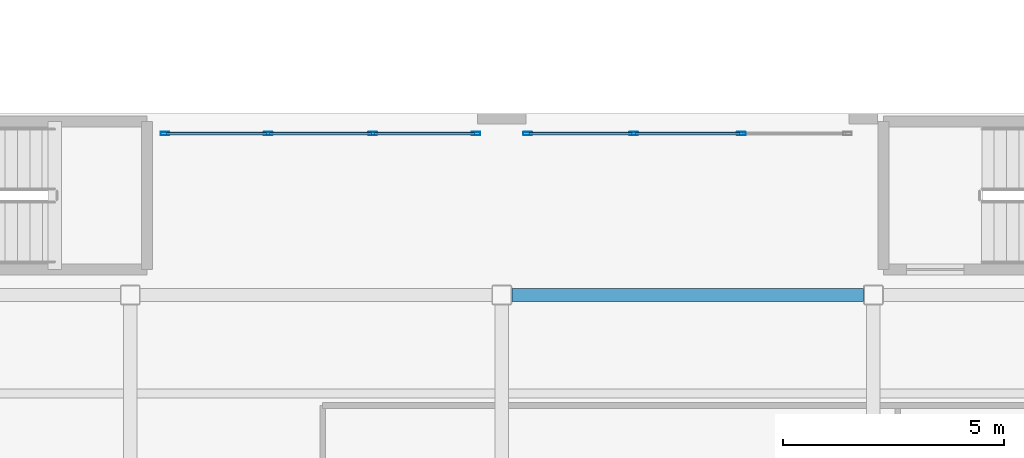
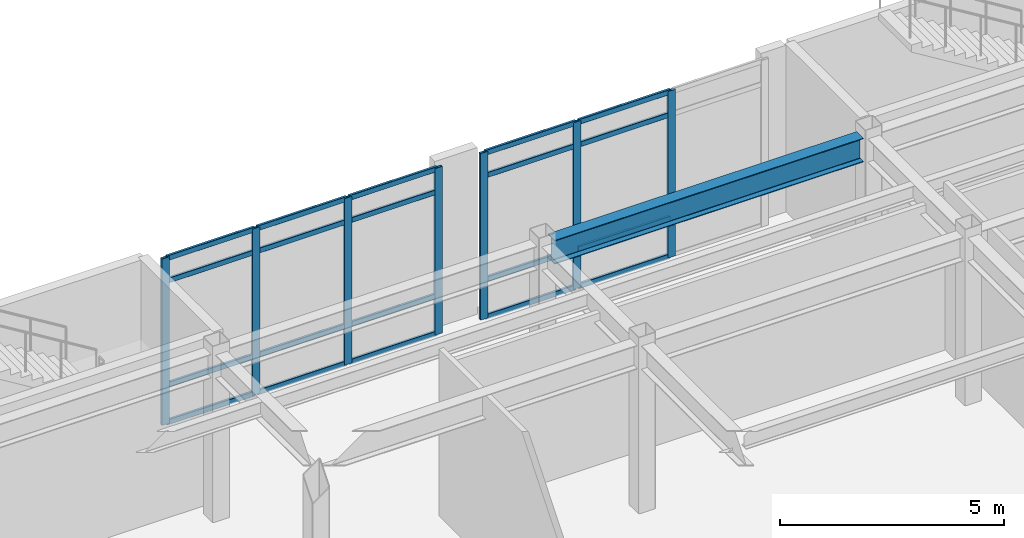
# One storey, part 86 of 172: 27 members, 1 beam, 2 elements without a shape of their own.
"""IFC4 building model written with IfcOpenShell, lengths in metres."""

from ifc_helpers import new_model, si_unit, direction, frame, origin, origin_2d, place, context, subcontext, project, spatial, hollow_rectangle, i_section, extrude, material, layer, layer_set, material_profile, profile_set, type_object, element, aggregate, save


model = new_model("IFC4")

# Units and contexts
model_context = context("Model", 3, precision=1e-05, world=origin(), true_north=direction((0.0, 1.0)))
body_context = subcontext(model_context, "Body", "Model", "MODEL_VIEW")
ifc_project = project(units=[si_unit("LENGTHUNIT", "METRE"), si_unit("AREAUNIT", "SQUARE_METRE"), si_unit("VOLUMEUNIT", "CUBIC_METRE"), si_unit("PLANEANGLEUNIT", "RADIAN"), si_unit("MASSUNIT", "GRAM", prefix="KILO")], contexts=[model_context])

# Site, building, storey
site_placement = place(None, origin())
site = spatial("IfcSite", under=ifc_project, at=site_placement, CompositionType="ELEMENT")
building_placement = place(site_placement, origin())
building = spatial("IfcBuilding", under=site, at=building_placement, Name="Kazehara Bluff Congress Hotel", CompositionType="ELEMENT")
storey_placement = place(building_placement, frame((0.0, 0.0, 5.39990234375)))
storey = spatial("IfcBuildingStorey", under=building, at=storey_placement, Name="L01", CompositionType="ELEMENT", Elevation=5.39990234375)

# Curtain wall, members
ifc_material_1 = material(Name="Anodised aluminium", Category="aluminium")
ifc_layer_1 = layer(ifc_material_1, 0.159912109375)
ifc_layer_set_1 = layer_set([ifc_layer_1], Name="Anodised aluminium")
curtain_wall_type_1 = type_object("IfcCurtainWallType", Name="TP-CW-47", PredefinedType="NOTDEFINED", material=ifc_layer_set_1)
curtain_wall_1_placement = place(storey_placement, origin())
curtain_wall_1 = element("IfcCurtainWall", 1, at=curtain_wall_1_placement, inside=storey, type_object=curtain_wall_type_1, Name="L01 curtain wall CW-47 CW-V3-L01-Y11355-6840", PredefinedType="NOTDEFINED")
ifc_material_2 = material(Name="Anodised aluminium", Category="aluminium")
ifc_material_profile_1 = material_profile(ifc_material_2, hollow_rectangle(XDim=0.070068359375, YDim=0.199951171875, WallThickness=0.0048828125, InnerFilletRadius=0.0048828125, OuterFilletRadius=0.010009765625, at=origin_2d()))
ifc_profile_set_1 = profile_set([ifc_material_profile_1], Name="Anodised aluminium")
member_type_1 = type_object("IfcMemberType", Name="TP-CWM-03", PredefinedType="MULLION", material=ifc_profile_set_1)
member_1_placement = place(storey_placement, frame((68.43505859375, 113.550048828125, 0.0), z_axis=(0.0, 0.0, 1.0), x_axis=(0.0, 1.0, 0.0)))
member_1 = element("IfcMember", 2, at=member_1_placement, type_object=member_type_1, Name="CW-47 mullion 1", PredefinedType="MULLION", context=body_context, shape_type="SweptSolid", body=[
    extrude(hollow_rectangle(XDim=0.070068359375, YDim=0.199951171875, WallThickness=0.0048828125, InnerFilletRadius=0.0048828125, OuterFilletRadius=0.010009765625, at=origin_2d()), origin(), (0.0, 0.0, 1.0), 4.53515625),
])
member_2_placement = place(storey_placement, frame((70.7666015625, 113.550048828125, 0.0), z_axis=(0.0, 0.0, 1.0), x_axis=(0.0, 1.0, 0.0)))
member_2 = element("IfcMember", 3, at=member_2_placement, type_object=member_type_1, Name="CW-47 mullion 2", PredefinedType="MULLION", context=body_context, shape_type="SweptSolid", body=[
    extrude(hollow_rectangle(XDim=0.070068359375, YDim=0.199951171875, WallThickness=0.0048828125, InnerFilletRadius=0.0048828125, OuterFilletRadius=0.010009765625, at=origin_2d()), origin(), (0.0, 0.0, 1.0), 4.53515625),
])
member_3_placement = place(storey_placement, frame((73.13330078125, 113.550048828125, 0.0), z_axis=(0.0, 0.0, 1.0), x_axis=(0.0, 1.0, 0.0)))
member_3 = element("IfcMember", 4, at=member_3_placement, type_object=member_type_1, Name="CW-47 mullion 3", PredefinedType="MULLION", context=body_context, shape_type="SweptSolid", body=[
    extrude(hollow_rectangle(XDim=0.070068359375, YDim=0.199951171875, WallThickness=0.0048828125, InnerFilletRadius=0.0048828125, OuterFilletRadius=0.010009765625, at=origin_2d()), origin(), (0.0, 0.0, 1.0), 4.53515625),
])
member_4_placement = place(storey_placement, frame((75.465087890625, 113.550048828125, 0.0), z_axis=(0.0, 0.0, 1.0), x_axis=(0.0, 1.0, 0.0)))
member_4 = element("IfcMember", 5, at=member_4_placement, type_object=member_type_1, Name="CW-47 mullion 4", PredefinedType="MULLION", context=body_context, shape_type="SweptSolid", body=[
    extrude(hollow_rectangle(XDim=0.070068359375, YDim=0.199951171875, WallThickness=0.0048828125, InnerFilletRadius=0.0048828125, OuterFilletRadius=0.010009765625, at=origin_2d()), origin(), (0.0, 0.0, 1.0), 4.53515625),
])

ifc_material_3 = material(Name="Anodised aluminium", Category="aluminium")
ifc_layer_2 = layer(ifc_material_3, 0.159912109375)
ifc_layer_set_2 = layer_set([ifc_layer_2], Name="Anodised aluminium")
curtain_wall_type_2 = type_object("IfcCurtainWallType", Name="TP-CW-48", PredefinedType="NOTDEFINED", material=ifc_layer_set_2)
curtain_wall_2_placement = place(storey_placement, origin())
curtain_wall_2 = element("IfcCurtainWall", 6, at=curtain_wall_2_placement, inside=storey, type_object=curtain_wall_type_2, Name="L01 curtain wall CW-48 CW-V3-L01-Y11355-7660", PredefinedType="NOTDEFINED")
member_5_placement = place(storey_placement, frame((76.635009765625, 113.550048828125, 0.0), z_axis=(0.0, 0.0, 1.0), x_axis=(0.0, 1.0, 0.0)))
member_5 = element("IfcMember", 7, at=member_5_placement, type_object=member_type_1, Name="CW-48 mullion 1", PredefinedType="MULLION", context=body_context, shape_type="SweptSolid", body=[
    extrude(hollow_rectangle(XDim=0.070068359375, YDim=0.199951171875, WallThickness=0.0048828125, InnerFilletRadius=0.0048828125, OuterFilletRadius=0.010009765625, at=origin_2d()), origin(), (0.0, 0.0, 1.0), 4.53515625),
])
member_6_placement = place(storey_placement, frame((79.033447265625, 113.550048828125, 0.0), z_axis=(0.0, 0.0, 1.0), x_axis=(0.0, 1.0, 0.0)))
member_6 = element("IfcMember", 8, at=member_6_placement, type_object=member_type_1, Name="CW-48 mullion 2", PredefinedType="MULLION", context=body_context, shape_type="SweptSolid", body=[
    extrude(hollow_rectangle(XDim=0.070068359375, YDim=0.199951171875, WallThickness=0.0048828125, InnerFilletRadius=0.0048828125, OuterFilletRadius=0.010009765625, at=origin_2d()), origin(), (0.0, 0.0, 1.0), 4.53515625),
])
member_7_placement = place(storey_placement, frame((81.466552734375, 113.550048828125, 0.0), z_axis=(0.0, 0.0, 1.0), x_axis=(0.0, 1.0, 0.0)))
member_7 = element("IfcMember", 9, at=member_7_placement, type_object=member_type_1, Name="CW-48 mullion 3", PredefinedType="MULLION", context=body_context, shape_type="SweptSolid", body=[
    extrude(hollow_rectangle(XDim=0.070068359375, YDim=0.199951171875, WallThickness=0.0048828125, InnerFilletRadius=0.0048828125, OuterFilletRadius=0.010009765625, at=origin_2d()), origin(), (0.0, 0.0, 1.0), 4.53515625),
])

# Member
ifc_material_4 = material(Name="Anodised aluminium", Category="aluminium")
ifc_material_profile_2 = material_profile(ifc_material_4, hollow_rectangle(XDim=0.06494140625, YDim=0.139892578125, WallThickness=0.00390625, InnerFilletRadius=0.00390625, OuterFilletRadius=0.008056640625, at=origin_2d()))
ifc_profile_set_2 = profile_set([ifc_material_profile_2], Name="Anodised aluminium")
member_type_2 = type_object("IfcMemberType", Name="TP-CWT-02", PredefinedType="USERDEFINED", material=ifc_profile_set_2)
member_8_placement = place(storey_placement, frame((68.469970703125, 113.550048828125, 0.03271484375), z_axis=(1.0, 0.0, 0.0), x_axis=(0.0, 1.0, 0.0)))
member_8 = element("IfcMember", 10, at=member_8_placement, type_object=member_type_2, Name="CW-47 transom 1.1", ObjectType="TRANSOM", PredefinedType="USERDEFINED", context=body_context, shape_type="SweptSolid", body=[
    extrude(hollow_rectangle(XDim=0.06494140625, YDim=0.139892578125, WallThickness=0.00390625, InnerFilletRadius=0.00390625, OuterFilletRadius=0.008056640625, at=origin_2d()), origin(), (0.0, 0.0, 1.0), 2.26171875),
])

member_9_placement = place(storey_placement, frame((68.469970703125, 113.550048828125, 1.050048828125), z_axis=(1.0, 0.0, 0.0), x_axis=(0.0, 1.0, 0.0)))
member_9 = element("IfcMember", 11, at=member_9_placement, type_object=member_type_2, Name="CW-47 transom 1.2", ObjectType="TRANSOM", PredefinedType="USERDEFINED", context=body_context, shape_type="SweptSolid", body=[
    extrude(hollow_rectangle(XDim=0.06494140625, YDim=0.139892578125, WallThickness=0.00390625, InnerFilletRadius=0.00390625, OuterFilletRadius=0.008056640625, at=origin_2d()), origin(), (0.0, 0.0, 1.0), 2.26171875),
])

member_10_placement = place(storey_placement, frame((68.469970703125, 113.550048828125, 3.885009765625), z_axis=(1.0, 0.0, 0.0), x_axis=(0.0, 1.0, 0.0)))
member_10 = element("IfcMember", 12, at=member_10_placement, type_object=member_type_2, Name="CW-47 transom 1.3", ObjectType="TRANSOM", PredefinedType="USERDEFINED", context=body_context, shape_type="SweptSolid", body=[
    extrude(hollow_rectangle(XDim=0.06494140625, YDim=0.139892578125, WallThickness=0.00390625, InnerFilletRadius=0.00390625, OuterFilletRadius=0.008056640625, at=origin_2d()), origin(), (0.0, 0.0, 1.0), 2.26171875),
])

member_11_placement = place(storey_placement, frame((68.469970703125, 113.550048828125, 4.502685546875), z_axis=(1.0, 0.0, 0.0), x_axis=(0.0, 1.0, 0.0)))
member_11 = element("IfcMember", 13, at=member_11_placement, type_object=member_type_2, Name="CW-47 transom 1.4", ObjectType="TRANSOM", PredefinedType="USERDEFINED", context=body_context, shape_type="SweptSolid", body=[
    extrude(hollow_rectangle(XDim=0.06494140625, YDim=0.139892578125, WallThickness=0.00390625, InnerFilletRadius=0.00390625, OuterFilletRadius=0.008056640625, at=origin_2d()), origin(), (0.0, 0.0, 1.0), 2.26171875),
])

member_12_placement = place(storey_placement, frame((70.8017578125, 113.550048828125, 0.03271484375), z_axis=(1.0, 0.0, 0.0), x_axis=(0.0, 1.0, 0.0)))
member_12 = element("IfcMember", 14, at=member_12_placement, type_object=member_type_2, Name="CW-47 transom 2.1", ObjectType="TRANSOM", PredefinedType="USERDEFINED", context=body_context, shape_type="SweptSolid", body=[
    extrude(hollow_rectangle(XDim=0.06494140625, YDim=0.139892578125, WallThickness=0.00390625, InnerFilletRadius=0.00390625, OuterFilletRadius=0.008056640625, at=origin_2d()), origin(), (0.0, 0.0, 1.0), 2.296630859375),
])

member_13_placement = place(storey_placement, frame((70.8017578125, 113.550048828125, 1.050048828125), z_axis=(1.0, 0.0, 0.0), x_axis=(0.0, 1.0, 0.0)))
member_13 = element("IfcMember", 15, at=member_13_placement, type_object=member_type_2, Name="CW-47 transom 2.2", ObjectType="TRANSOM", PredefinedType="USERDEFINED", context=body_context, shape_type="SweptSolid", body=[
    extrude(hollow_rectangle(XDim=0.06494140625, YDim=0.139892578125, WallThickness=0.00390625, InnerFilletRadius=0.00390625, OuterFilletRadius=0.008056640625, at=origin_2d()), origin(), (0.0, 0.0, 1.0), 2.296630859375),
])

member_14_placement = place(storey_placement, frame((70.8017578125, 113.550048828125, 3.885009765625), z_axis=(1.0, 0.0, 0.0), x_axis=(0.0, 1.0, 0.0)))
member_14 = element("IfcMember", 16, at=member_14_placement, type_object=member_type_2, Name="CW-47 transom 2.3", ObjectType="TRANSOM", PredefinedType="USERDEFINED", context=body_context, shape_type="SweptSolid", body=[
    extrude(hollow_rectangle(XDim=0.06494140625, YDim=0.139892578125, WallThickness=0.00390625, InnerFilletRadius=0.00390625, OuterFilletRadius=0.008056640625, at=origin_2d()), origin(), (0.0, 0.0, 1.0), 2.296630859375),
])

member_15_placement = place(storey_placement, frame((70.8017578125, 113.550048828125, 4.502685546875), z_axis=(1.0, 0.0, 0.0), x_axis=(0.0, 1.0, 0.0)))
member_15 = element("IfcMember", 17, at=member_15_placement, type_object=member_type_2, Name="CW-47 transom 2.4", ObjectType="TRANSOM", PredefinedType="USERDEFINED", context=body_context, shape_type="SweptSolid", body=[
    extrude(hollow_rectangle(XDim=0.06494140625, YDim=0.139892578125, WallThickness=0.00390625, InnerFilletRadius=0.00390625, OuterFilletRadius=0.008056640625, at=origin_2d()), origin(), (0.0, 0.0, 1.0), 2.296630859375),
])

member_16_placement = place(storey_placement, frame((73.168212890625, 113.550048828125, 0.03271484375), z_axis=(1.0, 0.0, 0.0), x_axis=(0.0, 1.0, 0.0)))
member_16 = element("IfcMember", 18, at=member_16_placement, type_object=member_type_2, Name="CW-47 transom 3.1", ObjectType="TRANSOM", PredefinedType="USERDEFINED", context=body_context, shape_type="SweptSolid", body=[
    extrude(hollow_rectangle(XDim=0.06494140625, YDim=0.139892578125, WallThickness=0.00390625, InnerFilletRadius=0.00390625, OuterFilletRadius=0.008056640625, at=origin_2d()), origin(), (0.0, 0.0, 1.0), 2.26171875),
])

member_17_placement = place(storey_placement, frame((73.168212890625, 113.550048828125, 1.050048828125), z_axis=(1.0, 0.0, 0.0), x_axis=(0.0, 1.0, 0.0)))
member_17 = element("IfcMember", 19, at=member_17_placement, type_object=member_type_2, Name="CW-47 transom 3.2", ObjectType="TRANSOM", PredefinedType="USERDEFINED", context=body_context, shape_type="SweptSolid", body=[
    extrude(hollow_rectangle(XDim=0.06494140625, YDim=0.139892578125, WallThickness=0.00390625, InnerFilletRadius=0.00390625, OuterFilletRadius=0.008056640625, at=origin_2d()), origin(), (0.0, 0.0, 1.0), 2.26171875),
])

member_18_placement = place(storey_placement, frame((73.168212890625, 113.550048828125, 3.885009765625), z_axis=(1.0, 0.0, 0.0), x_axis=(0.0, 1.0, 0.0)))
member_18 = element("IfcMember", 20, at=member_18_placement, type_object=member_type_2, Name="CW-47 transom 3.3", ObjectType="TRANSOM", PredefinedType="USERDEFINED", context=body_context, shape_type="SweptSolid", body=[
    extrude(hollow_rectangle(XDim=0.06494140625, YDim=0.139892578125, WallThickness=0.00390625, InnerFilletRadius=0.00390625, OuterFilletRadius=0.008056640625, at=origin_2d()), origin(), (0.0, 0.0, 1.0), 2.26171875),
])

member_19_placement = place(storey_placement, frame((73.168212890625, 113.550048828125, 4.502685546875), z_axis=(1.0, 0.0, 0.0), x_axis=(0.0, 1.0, 0.0)))
member_19 = element("IfcMember", 21, at=member_19_placement, type_object=member_type_2, Name="CW-47 transom 3.4", ObjectType="TRANSOM", PredefinedType="USERDEFINED", context=body_context, shape_type="SweptSolid", body=[
    extrude(hollow_rectangle(XDim=0.06494140625, YDim=0.139892578125, WallThickness=0.00390625, InnerFilletRadius=0.00390625, OuterFilletRadius=0.008056640625, at=origin_2d()), origin(), (0.0, 0.0, 1.0), 2.26171875),
])

aggregate(curtain_wall_1, [member_1, member_2, member_3, member_4, member_8, member_9, member_10, member_11, member_12, member_13, member_14, member_15, member_16, member_17, member_18, member_19])

member_20_placement = place(storey_placement, frame((76.669921875, 113.550048828125, 0.03271484375), z_axis=(1.0, 0.0, 0.0), x_axis=(0.0, 1.0, 0.0)))
member_20 = element("IfcMember", 22, at=member_20_placement, type_object=member_type_2, Name="CW-48 transom 1.1", ObjectType="TRANSOM", PredefinedType="USERDEFINED", context=body_context, shape_type="SweptSolid", body=[
    extrude(hollow_rectangle(XDim=0.06494140625, YDim=0.139892578125, WallThickness=0.00390625, InnerFilletRadius=0.00390625, OuterFilletRadius=0.008056640625, at=origin_2d()), origin(), (0.0, 0.0, 1.0), 2.328369140625),
])

member_21_placement = place(storey_placement, frame((76.669921875, 113.550048828125, 1.050048828125), z_axis=(1.0, 0.0, 0.0), x_axis=(0.0, 1.0, 0.0)))
member_21 = element("IfcMember", 23, at=member_21_placement, type_object=member_type_2, Name="CW-48 transom 1.2", ObjectType="TRANSOM", PredefinedType="USERDEFINED", context=body_context, shape_type="SweptSolid", body=[
    extrude(hollow_rectangle(XDim=0.06494140625, YDim=0.139892578125, WallThickness=0.00390625, InnerFilletRadius=0.00390625, OuterFilletRadius=0.008056640625, at=origin_2d()), origin(), (0.0, 0.0, 1.0), 2.328369140625),
])

member_22_placement = place(storey_placement, frame((76.669921875, 113.550048828125, 3.885009765625), z_axis=(1.0, 0.0, 0.0), x_axis=(0.0, 1.0, 0.0)))
member_22 = element("IfcMember", 24, at=member_22_placement, type_object=member_type_2, Name="CW-48 transom 1.3", ObjectType="TRANSOM", PredefinedType="USERDEFINED", context=body_context, shape_type="SweptSolid", body=[
    extrude(hollow_rectangle(XDim=0.06494140625, YDim=0.139892578125, WallThickness=0.00390625, InnerFilletRadius=0.00390625, OuterFilletRadius=0.008056640625, at=origin_2d()), origin(), (0.0, 0.0, 1.0), 2.328369140625),
])

member_23_placement = place(storey_placement, frame((76.669921875, 113.550048828125, 4.502685546875), z_axis=(1.0, 0.0, 0.0), x_axis=(0.0, 1.0, 0.0)))
member_23 = element("IfcMember", 25, at=member_23_placement, type_object=member_type_2, Name="CW-48 transom 1.4", ObjectType="TRANSOM", PredefinedType="USERDEFINED", context=body_context, shape_type="SweptSolid", body=[
    extrude(hollow_rectangle(XDim=0.06494140625, YDim=0.139892578125, WallThickness=0.00390625, InnerFilletRadius=0.00390625, OuterFilletRadius=0.008056640625, at=origin_2d()), origin(), (0.0, 0.0, 1.0), 2.328369140625),
])

member_24_placement = place(storey_placement, frame((79.068359375, 113.550048828125, 0.03271484375), z_axis=(1.0, 0.0, 0.0), x_axis=(0.0, 1.0, 0.0)))
member_24 = element("IfcMember", 26, at=member_24_placement, type_object=member_type_2, Name="CW-48 transom 2.1", ObjectType="TRANSOM", PredefinedType="USERDEFINED", context=body_context, shape_type="SweptSolid", body=[
    extrude(hollow_rectangle(XDim=0.06494140625, YDim=0.139892578125, WallThickness=0.00390625, InnerFilletRadius=0.00390625, OuterFilletRadius=0.008056640625, at=origin_2d()), origin(), (0.0, 0.0, 1.0), 2.36328125),
])

member_25_placement = place(storey_placement, frame((79.068359375, 113.550048828125, 1.050048828125), z_axis=(1.0, 0.0, 0.0), x_axis=(0.0, 1.0, 0.0)))
member_25 = element("IfcMember", 27, at=member_25_placement, type_object=member_type_2, Name="CW-48 transom 2.2", ObjectType="TRANSOM", PredefinedType="USERDEFINED", context=body_context, shape_type="SweptSolid", body=[
    extrude(hollow_rectangle(XDim=0.06494140625, YDim=0.139892578125, WallThickness=0.00390625, InnerFilletRadius=0.00390625, OuterFilletRadius=0.008056640625, at=origin_2d()), origin(), (0.0, 0.0, 1.0), 2.36328125),
])

member_26_placement = place(storey_placement, frame((79.068359375, 113.550048828125, 3.885009765625), z_axis=(1.0, 0.0, 0.0), x_axis=(0.0, 1.0, 0.0)))
member_26 = element("IfcMember", 28, at=member_26_placement, type_object=member_type_2, Name="CW-48 transom 2.3", ObjectType="TRANSOM", PredefinedType="USERDEFINED", context=body_context, shape_type="SweptSolid", body=[
    extrude(hollow_rectangle(XDim=0.06494140625, YDim=0.139892578125, WallThickness=0.00390625, InnerFilletRadius=0.00390625, OuterFilletRadius=0.008056640625, at=origin_2d()), origin(), (0.0, 0.0, 1.0), 2.36328125),
])

member_27_placement = place(storey_placement, frame((79.068359375, 113.550048828125, 4.502685546875), z_axis=(1.0, 0.0, 0.0), x_axis=(0.0, 1.0, 0.0)))
member_27 = element("IfcMember", 29, at=member_27_placement, type_object=member_type_2, Name="CW-48 transom 2.4", ObjectType="TRANSOM", PredefinedType="USERDEFINED", context=body_context, shape_type="SweptSolid", body=[
    extrude(hollow_rectangle(XDim=0.06494140625, YDim=0.139892578125, WallThickness=0.00390625, InnerFilletRadius=0.00390625, OuterFilletRadius=0.008056640625, at=origin_2d()), origin(), (0.0, 0.0, 1.0), 2.36328125),
])

aggregate(curtain_wall_2, [member_5, member_6, member_7, member_20, member_21, member_22, member_23, member_24, member_25, member_26, member_27])

# Beam
ifc_material_5 = material(Name="Steel SN490B", Category="steel")
ifc_material_profile_3 = material_profile(ifc_material_5, i_section(OverallWidth=0.300048828125, OverallDepth=0.64990234375, WebThickness=0.011962890625, FlangeThickness=0.02001953125, FilletRadius=0.012939453125, at=origin_2d()))
ifc_profile_set_3 = profile_set([ifc_material_profile_3], Name="Steel SN490B")
beam_type = type_object("IfcBeamType", Name="TP-G-03", PredefinedType="BEAM", material=ifc_profile_set_3)
beam_placement = place(storey_placement, frame((76.27490234375, 109.89990234375, 4.22509765625), z_axis=(1.0, 0.0, 0.0), x_axis=(0.0, 1.0, 0.0)))
element("IfcBeam", 30, at=beam_placement, inside=storey, type_object=beam_type, Name="L01 girder G-03 145", PredefinedType="BEAM", context=body_context, shape_type="SweptSolid", body=[
    extrude(i_section(OverallWidth=0.300048828125, OverallDepth=0.64990234375, WebThickness=0.011962890625, FlangeThickness=0.02001953125, FilletRadius=0.012939453125, at=origin_2d()), origin(), (0.0, 0.0, 1.0), 7.9501953125),
])

save(model, "model.ifc")
